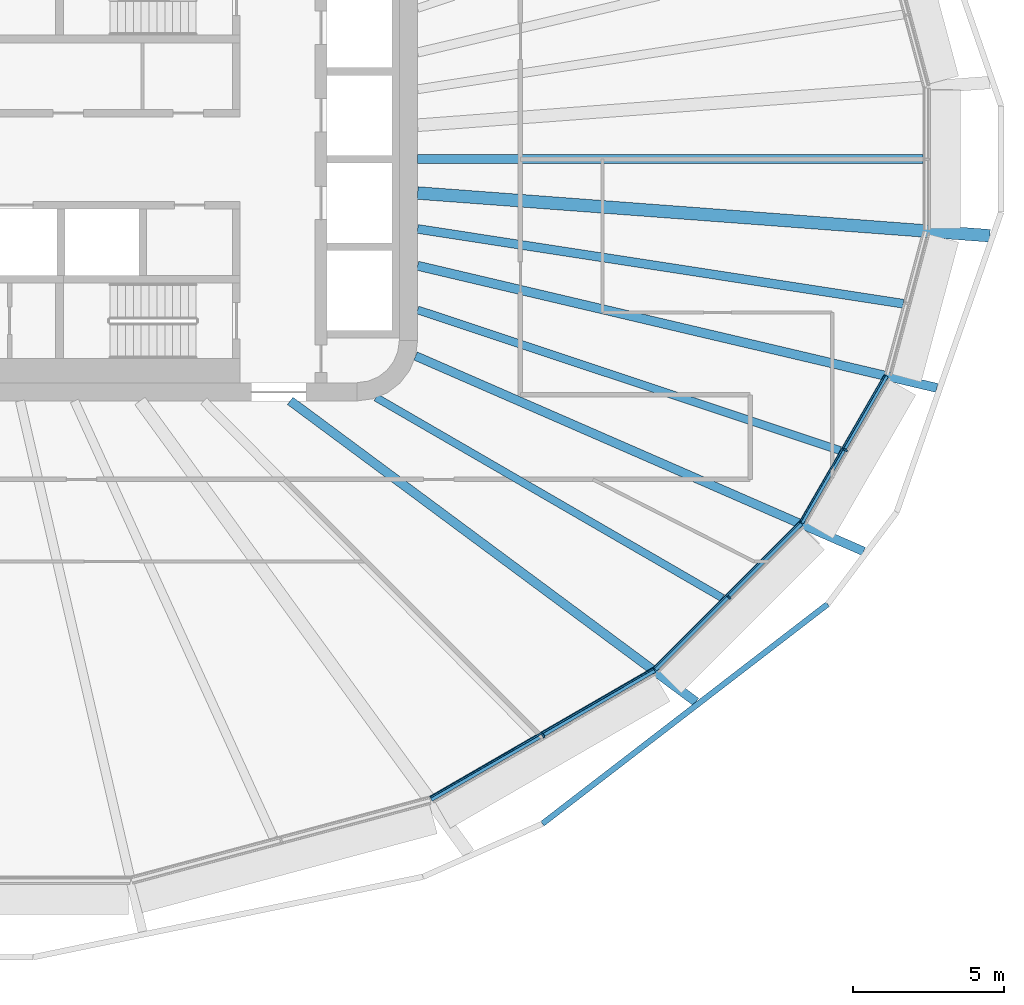
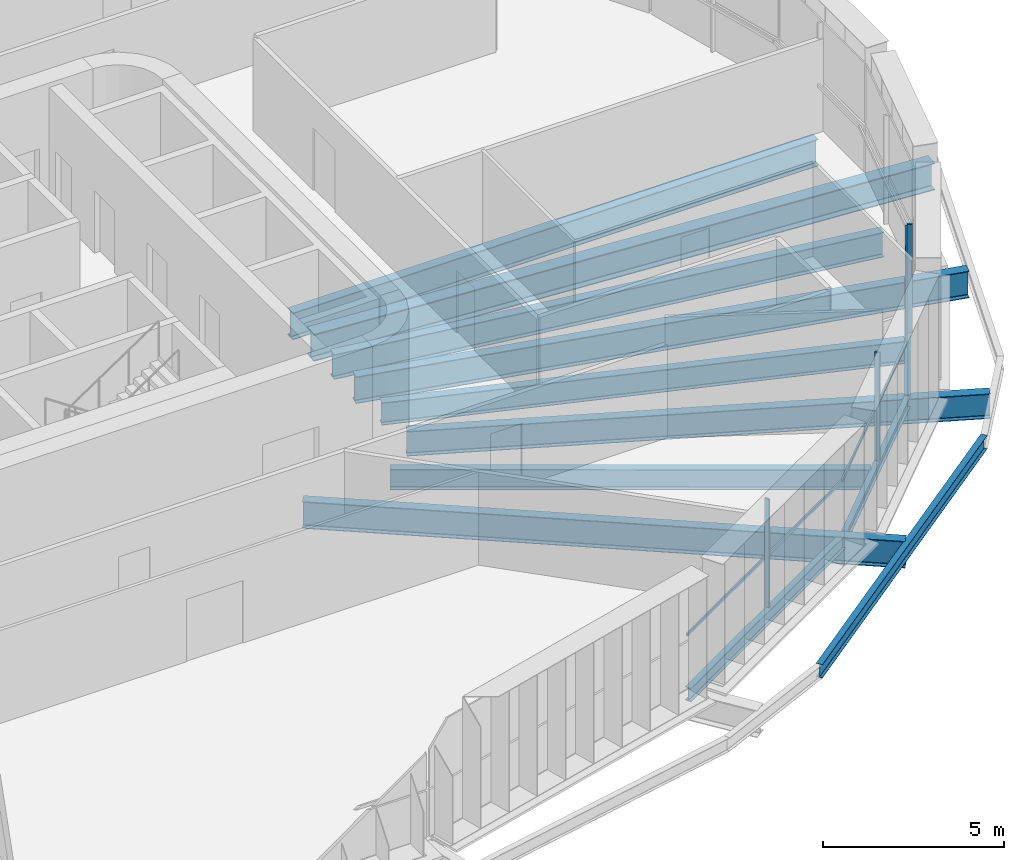
# One storey, part 5 of 25: 12 beams, 6 members, 3 elements without a shape of their own.
"""IFC4 building model written with IfcOpenShell, lengths in metres."""

from ifc_helpers import new_model, si_unit, direction, frame, origin, origin_2d, place, context, subcontext, project, spatial, rectangle, i_section, extrude, material, layer, layer_set, material_profile, profile_set, type_object, element, aggregate, save


model = new_model("IFC4")

# Units and contexts
model_context = context("Model", 3, precision=1e-05, world=origin(), true_north=direction((0.0, 1.0)))
body_context = subcontext(model_context, "Body", "Model", "MODEL_VIEW")
ifc_project = project(units=[si_unit("LENGTHUNIT", "METRE"), si_unit("AREAUNIT", "SQUARE_METRE"), si_unit("VOLUMEUNIT", "CUBIC_METRE"), si_unit("PLANEANGLEUNIT", "RADIAN"), si_unit("MASSUNIT", "GRAM", prefix="KILO")], contexts=[model_context])

# Site, building, storey
site_placement = place(None, origin())
site = spatial("IfcSite", under=ifc_project, at=site_placement, CompositionType="ELEMENT")
building_placement = place(site_placement, origin())
building = spatial("IfcBuilding", under=site, at=building_placement, Name="Sahrelin Media Tower", CompositionType="ELEMENT")
storey_placement = place(building_placement, frame((0.0, 0.0, 110.39990234375)))
storey = spatial("IfcBuildingStorey", under=building, at=storey_placement, Name="L21", CompositionType="ELEMENT", Elevation=110.39990234375)

# Beams
ifc_material_1 = material(Name="Steel S355", Category="steel")
ifc_material_profile_1 = material_profile(ifc_material_1, i_section(OverallWidth=0.1650390625, OverallDepth=0.303466796875, WebThickness=0.006103515625, FlangeThickness=0.01025390625, FilletRadius=0.0087890625, at=origin_2d()), Name="UB 305x165x40")
ifc_profile_set_1 = profile_set([ifc_material_profile_1], Name="Steel S355")
beam_type_1 = type_object("IfcBeamType", Name="Edge beam EB2", PredefinedType="BEAM", material=ifc_profile_set_1)
beam_1_placement = place(storey_placement, frame((30.5048828125, -7.1650390625, -0.301513671875), z_axis=(-0.500017404508, -0.866015355054, 0.0), x_axis=(0.866015355054, -0.500017404508, 0.0)))
element("IfcBeam", 1, at=beam_1_placement, inside=storey, type_object=beam_type_1, Name="Edge beam L21-03", PredefinedType="BEAM", context=body_context, shape_type="SweptSolid", body=[
    extrude(i_section(OverallWidth=0.1650390625, OverallDepth=0.303466796875, WebThickness=0.006103515625, FlangeThickness=0.01025390625, FilletRadius=0.0087890625, at=origin_2d()), origin(), (0.0, 0.0, 1.0), 5.612548828125),
])
ifc_material_profile_2 = material_profile(ifc_material_1, i_section(OverallWidth=0.17138671875, OverallDepth=0.35498046875, WebThickness=0.00732421875, FlangeThickness=0.011474609375, FilletRadius=0.01025390625, at=origin_2d()), Name="UB 356x171x51")
ifc_profile_set_2 = profile_set([ifc_material_profile_2], Name="Steel S355")
beam_type_2 = type_object("IfcBeamType", Name="Edge beam EB3", PredefinedType="BEAM", material=ifc_profile_set_2)
beam_2_placement = place(storey_placement, frame((27.68115234375, -12.048583984375, -0.327392578125), z_axis=(-0.707124646667, -0.707088915255, 0.0), x_axis=(0.707088915255, -0.707124646667, 0.0)))
element("IfcBeam", 2, at=beam_2_placement, inside=storey, type_object=beam_type_2, Name="Edge beam L21-04", PredefinedType="BEAM", context=body_context, shape_type="SweptSolid", body=[
    extrude(i_section(OverallWidth=0.17138671875, OverallDepth=0.35498046875, WebThickness=0.00732421875, FlangeThickness=0.011474609375, FilletRadius=0.01025390625, at=origin_2d()), origin(), (0.0, 0.0, 1.0), 6.832763671875),
])
ifc_material_profile_3 = material_profile(ifc_material_1, i_section(OverallWidth=0.1904296875, OverallDepth=0.45703125, WebThickness=0.009033203125, FlangeThickness=0.014404296875, FilletRadius=0.01025390625, at=origin_2d()), Name="UB 457x191x74")
ifc_profile_set_3 = profile_set([ifc_material_profile_3], Name="Steel S355")
beam_type_3 = type_object("IfcBeamType", Name="Edge beam EB5", PredefinedType="BEAM", material=ifc_profile_set_3)
beam_3_placement = place(storey_placement, frame((22.82666015625, -16.8974609375, -0.37841796875), z_axis=(-0.866017364183, -0.500013924739, 0.0), x_axis=(0.500013924739, -0.866017364183, 0.0)))
element("IfcBeam", 3, at=beam_3_placement, inside=storey, type_object=beam_type_3, Name="Edge beam L21-05", PredefinedType="BEAM", context=body_context, shape_type="SweptSolid", body=[
    extrude(i_section(OverallWidth=0.1904296875, OverallDepth=0.45703125, WebThickness=0.009033203125, FlangeThickness=0.014404296875, FilletRadius=0.01025390625, at=origin_2d()), origin(), (0.0, 0.0, 1.0), 8.531494140625),
])

# Curtain wall, member
ifc_material_2 = material(Name="Champagne anodised aluminium 6063-T6", Category="aluminium")
ifc_layer = layer(ifc_material_2, 0.14990234375)
ifc_layer_set = layer_set([ifc_layer], Name="Tower ribbon curtain wall")
curtain_wall_type = type_object("IfcCurtainWallType", Name="Tower ribbon curtain wall", PredefinedType="NOTDEFINED", material=ifc_layer_set)
curtain_wall_1_placement = place(storey_placement, frame((19.20751953125, -19.160400390625, 0.0), z_axis=(0.0, 0.0, 1.0), x_axis=(1.0, 0.0, 0.0)))
curtain_wall_1 = element("IfcCurtainWall", 4, at=curtain_wall_1_placement, inside=storey, type_object=curtain_wall_type, Name="L21:CW:L21-20", PredefinedType="NOTDEFINED")
ifc_material_profile_4 = material_profile(ifc_material_2, rectangle(XDim=0.06005859375, YDim=0.14990234375, at=origin_2d()), Name="Mullion 60x150")
ifc_profile_set_4 = profile_set([ifc_material_profile_4], Name="Champagne anodised aluminium 6063-T6")
member_type_1 = type_object("IfcMemberType", Name="Mullion 60x150 CW1", PredefinedType="MULLION", material=ifc_profile_set_4)
member_1_placement = place(storey_placement, frame((19.159912109375, -19.077880859375, 0.0), z_axis=(0.0, 0.0, 1.0), x_axis=(0.866024531118, 0.500001511499, 0.0)))
member_1 = element("IfcMember", 5, at=member_1_placement, type_object=member_type_1, Name="L21:CWM:L21-20", PredefinedType="MULLION", context=body_context, shape_type="SweptSolid", body=[
    extrude(rectangle(XDim=0.06005859375, YDim=0.14990234375, at=origin_2d()), origin(), (0.0, 0.0, 1.0), 3.648681640625),
])

curtain_wall_2_placement = place(storey_placement, frame((25.371337890625, -14.5703125, 0.0), z_axis=(0.0, 0.0, 1.0), x_axis=(1.0, 0.0, 0.0)))
curtain_wall_2 = element("IfcCurtainWall", 6, at=curtain_wall_2_placement, inside=storey, type_object=curtain_wall_type, Name="L21:CW:L21-21", PredefinedType="NOTDEFINED")
member_2_placement = place(storey_placement, frame((25.30419921875, -14.503173828125, 0.0), z_axis=(0.0, 0.0, 1.0), x_axis=(0.707106781187, 0.707106781187, 0.0)))
member_2 = element("IfcMember", 7, at=member_2_placement, type_object=member_type_1, Name="L21:CWM:L21-21", PredefinedType="MULLION", context=body_context, shape_type="SweptSolid", body=[
    extrude(rectangle(XDim=0.06005859375, YDim=0.14990234375, at=origin_2d()), origin(), (0.0, 0.0, 1.0), 3.648681640625),
])

curtain_wall_3_placement = place(storey_placement, frame((29.231689453125, -9.67041015625, 0.0), z_axis=(0.0, 0.0, 1.0), x_axis=(1.0, 0.0, 0.0)))
curtain_wall_3 = element("IfcCurtainWall", 8, at=curtain_wall_3_placement, inside=storey, type_object=curtain_wall_type, Name="L21:CW:L21-22", PredefinedType="NOTDEFINED")
member_3_placement = place(storey_placement, frame((29.1494140625, -9.622802734375, 0.0), z_axis=(0.0, 0.0, 1.0), x_axis=(0.500004534492, 0.866022785779, 0.0)))
member_3 = element("IfcMember", 9, at=member_3_placement, type_object=member_type_1, Name="L21:CWM:L21-22", PredefinedType="MULLION", context=body_context, shape_type="SweptSolid", body=[
    extrude(rectangle(XDim=0.06005859375, YDim=0.14990234375, at=origin_2d()), origin(), (0.0, 0.0, 1.0), 3.648681640625),
])

# Beams
ifc_material_profile_5 = material_profile(ifc_material_1, i_section(OverallWidth=0.291748046875, OverallDepth=0.8349609375, WebThickness=0.013916015625, FlangeThickness=0.018798828125, FilletRadius=0.017822265625, at=origin_2d()), Name="UB 838x292x176")
ifc_profile_set_5 = profile_set([ifc_material_profile_5], Name="Steel S355")
beam_type_4 = type_object("IfcBeamType", Name="Radial primary beam PB10", PredefinedType="BEAM", material=ifc_profile_set_5)
beam_4_placement = place(storey_placement, frame((14.9326171875, -6.512939453125, -0.5673828125), z_axis=(0.91660394376, -0.39979646107, 0.0), x_axis=(0.39979646107, 0.91660394376, 0.0)))
element("IfcBeam", 10, at=beam_4_placement, inside=storey, type_object=beam_type_4, Name="Radial beam L21-22", PredefinedType="BEAM", context=body_context, shape_type="SweptSolid", body=[
    extrude(i_section(OverallWidth=0.291748046875, OverallDepth=0.8349609375, WebThickness=0.013916015625, FlangeThickness=0.018798828125, FilletRadius=0.017822265625, at=origin_2d()), origin(), (0.0, 0.0, 1.0), 16.176513671875),
])
ifc_material_profile_6 = material_profile(ifc_material_1, i_section(OverallWidth=0.30322265625, OverallDepth=0.903076171875, WebThickness=0.01513671875, FlangeThickness=0.020263671875, FilletRadius=0.01904296875, at=origin_2d()), Name="UB 914x305x201")
ifc_profile_set_6 = profile_set([ifc_material_profile_6], Name="Steel S355")
beam_type_5 = type_object("IfcBeamType", Name="Radial primary beam PB11", PredefinedType="BEAM", material=ifc_profile_set_6)
beam_5_placement = place(storey_placement, frame((10.78466796875, -8.0, -0.601318359375), z_axis=(0.803152128679, -0.595773999263, 0.0), x_axis=(0.595773999263, 0.803152128679, 0.0)))
element("IfcBeam", 11, at=beam_5_placement, inside=storey, type_object=beam_type_5, Name="Radial beam L21-21", PredefinedType="BEAM", context=body_context, shape_type="SweptSolid", body=[
    extrude(i_section(OverallWidth=0.30322265625, OverallDepth=0.903076171875, WebThickness=0.01513671875, FlangeThickness=0.020263671875, FilletRadius=0.01904296875, at=origin_2d()), origin(), (0.0, 0.0, 1.0), 16.71728515625),
])
beam_6_placement = place(storey_placement, frame((15.0, -3.528564453125, -0.601318359375), z_axis=(0.973430951904, -0.228980745641, 0.0), x_axis=(0.228980745641, 0.973430951904, 0.0)))
element("IfcBeam", 12, at=beam_6_placement, inside=storey, type_object=beam_type_5, Name="Radial beam L21-23", PredefinedType="BEAM", context=body_context, shape_type="SweptSolid", body=[
    extrude(i_section(OverallWidth=0.30322265625, OverallDepth=0.903076171875, WebThickness=0.01513671875, FlangeThickness=0.020263671875, FilletRadius=0.01904296875, at=origin_2d()), origin(), (0.0, 0.0, 1.0), 17.652099609375),
])
ifc_material_profile_7 = material_profile(ifc_material_1, i_section(OverallWidth=0.41845703125, OverallDepth=0.911865234375, WebThickness=0.019287109375, FlangeThickness=0.031982421875, FilletRadius=0.024169921875, at=origin_2d()), Name="UB 914x419x343")
ifc_profile_set_7 = profile_set([ifc_material_profile_7], Name="Steel S355")
beam_type_6 = type_object("IfcBeamType", Name="Radial primary beam PB12", PredefinedType="BEAM", material=ifc_profile_set_7)
beam_7_placement = place(storey_placement, frame((15.0, -1.12109375, -0.605712890625), z_axis=(0.997220437649, -0.074507709238, 0.0), x_axis=(0.074507709238, 0.997220437649, 0.0)))
element("IfcBeam", 13, at=beam_7_placement, inside=storey, type_object=beam_type_6, Name="Radial beam L21-24", PredefinedType="BEAM", context=body_context, shape_type="SweptSolid", body=[
    extrude(i_section(OverallWidth=0.41845703125, OverallDepth=0.911865234375, WebThickness=0.019287109375, FlangeThickness=0.031982421875, FilletRadius=0.024169921875, at=origin_2d()), origin(), (0.0, 0.0, 1.0), 18.988525390625),
])
ifc_material_profile_8 = material_profile(ifc_material_1, i_section(OverallWidth=0.291748046875, OverallDepth=0.8349609375, WebThickness=0.013916015625, FlangeThickness=0.018798828125, FilletRadius=0.017822265625, at=origin_2d()), Name="UB 838x292x176")
ifc_profile_set_8 = profile_set([ifc_material_profile_8], Name="Steel S355")
beam_type_7 = type_object("IfcBeamType", Name="Radial secondary beam SB10", PredefinedType="BEAM", material=ifc_profile_set_8)
beam_8_placement = place(storey_placement, frame((15.0, -2.310302734375, -0.5673828125), z_axis=(0.988347036521, -0.152217395197, 0.0), x_axis=(0.152217395197, 0.988347036521, 0.0)))
element("IfcBeam", 14, at=beam_8_placement, inside=storey, type_object=beam_type_7, Name="Secondary beam L21-23", PredefinedType="BEAM", context=body_context, shape_type="SweptSolid", body=[
    extrude(i_section(OverallWidth=0.291748046875, OverallDepth=0.8349609375, WebThickness=0.013916015625, FlangeThickness=0.018798828125, FilletRadius=0.017822265625, at=origin_2d()), origin(), (0.0, 0.0, 1.0), 16.26025390625),
])
ifc_material_profile_9 = material_profile(ifc_material_1, i_section(OverallWidth=0.30322265625, OverallDepth=0.903076171875, WebThickness=0.01513671875, FlangeThickness=0.020263671875, FilletRadius=0.01904296875, at=origin_2d()), Name="UB 914x305x201")
ifc_profile_set_9 = profile_set([ifc_material_profile_9], Name="Steel S355")
beam_type_8 = type_object("IfcBeamType", Name="Radial secondary beam SB11", PredefinedType="BEAM", material=ifc_profile_set_9)
beam_9_placement = place(storey_placement, frame((15.0, 0.0, -0.601318359375), z_axis=(1.0, 0.0, 0.0), x_axis=(0.0, 1.0, 0.0)))
element("IfcBeam", 15, at=beam_9_placement, inside=storey, type_object=beam_type_8, Name="Secondary beam L21-24", PredefinedType="BEAM", context=body_context, shape_type="SweptSolid", body=[
    extrude(i_section(OverallWidth=0.30322265625, OverallDepth=0.903076171875, WebThickness=0.01513671875, FlangeThickness=0.020263671875, FilletRadius=0.01904296875, at=origin_2d()), origin(), (0.0, 0.0, 1.0), 16.72119140625),
])
ifc_material_profile_10 = material_profile(ifc_material_1, i_section(OverallWidth=0.2529296875, OverallDepth=0.677978515625, WebThickness=0.01171875, FlangeThickness=0.01611328125, FilletRadius=0.01513671875, at=origin_2d()), Name="UB 686x254x125")
ifc_profile_set_10 = profile_set([ifc_material_profile_10], Name="Steel S355")
beam_type_9 = type_object("IfcBeamType", Name="Radial secondary beam SB8", PredefinedType="BEAM", material=ifc_profile_set_10)
beam_10_placement = place(storey_placement, frame((13.625, -7.887451171875, -0.48876953125), z_axis=(0.865447741605, -0.500999208134, 0.0), x_axis=(0.500999208134, 0.865447741605, 0.0)))
element("IfcBeam", 16, at=beam_10_placement, inside=storey, type_object=beam_type_9, Name="Secondary beam L21-21", PredefinedType="BEAM", context=body_context, shape_type="SweptSolid", body=[
    extrude(i_section(OverallWidth=0.2529296875, OverallDepth=0.677978515625, WebThickness=0.01171875, FlangeThickness=0.01611328125, FilletRadius=0.01513671875, at=origin_2d()), origin(), (0.0, 0.0, 1.0), 13.2431640625),
])
ifc_material_profile_11 = material_profile(ifc_material_1, i_section(OverallWidth=0.26513671875, OverallDepth=0.75390625, WebThickness=0.0126953125, FlangeThickness=0.017578125, FilletRadius=0.0166015625, at=origin_2d()), Name="UB 762x267x147")
ifc_profile_set_11 = profile_set([ifc_material_profile_11], Name="Steel S355")
beam_type_10 = type_object("IfcBeamType", Name="Radial secondary beam SB9", PredefinedType="BEAM", material=ifc_profile_set_11)
beam_11_placement = place(storey_placement, frame((15.0, -4.989990234375, -0.52685546875), z_axis=(0.948863762476, -0.31568585692, 0.0), x_axis=(0.31568585692, 0.948863762476, 0.0)))
element("IfcBeam", 17, at=beam_11_placement, inside=storey, type_object=beam_type_10, Name="Secondary beam L21-22", PredefinedType="BEAM", context=body_context, shape_type="SweptSolid", body=[
    extrude(i_section(OverallWidth=0.26513671875, OverallDepth=0.75390625, WebThickness=0.0126953125, FlangeThickness=0.017578125, FilletRadius=0.0166015625, at=origin_2d()), origin(), (0.0, 0.0, 1.0), 14.7333984375),
])
ifc_material_profile_12 = material_profile(ifc_material_1, i_section(OverallWidth=0.1904296875, OverallDepth=0.45703125, WebThickness=0.009033203125, FlangeThickness=0.014404296875, FilletRadius=0.01025390625, at=origin_2d()), Name="UB 457x191x74")
ifc_profile_set_12 = profile_set([ifc_material_profile_12], Name="Steel S355")
beam_type_11 = type_object("IfcBeamType", Name="Tie chord TC5", PredefinedType="BEAM", material=ifc_profile_set_12)
beam_12_placement = place(storey_placement, frame((19.12939453125, -21.9912109375, -0.37841796875), z_axis=(0.792450278181, 0.60993651851, 0.0), x_axis=(-0.60993651851, 0.792450278181, 0.0)))
element("IfcBeam", 18, at=beam_12_placement, inside=storey, type_object=beam_type_11, Name="Tie chord L21-21", PredefinedType="BEAM", context=body_context, shape_type="SweptSolid", body=[
    extrude(i_section(OverallWidth=0.1904296875, OverallDepth=0.45703125, WebThickness=0.009033203125, FlangeThickness=0.014404296875, FilletRadius=0.01025390625, at=origin_2d()), origin(), (0.0, 0.0, 1.0), 11.91455078125),
])

# Member
ifc_material_profile_13 = material_profile(ifc_material_2, rectangle(XDim=0.050048828125, YDim=0.10009765625, at=origin_2d()), Name="Transom 50x100")
ifc_profile_set_13 = profile_set([ifc_material_profile_13], Name="Champagne anodised aluminium 6063-T6")
member_type_2 = type_object("IfcMemberType", Name="Transom 50x100 CW1", PredefinedType="USERDEFINED", material=ifc_profile_set_13)
member_4_placement = place(storey_placement, frame((15.429443359375, -21.116455078125, 1.60009765625), z_axis=(0.866021522889, 0.500006721848, 0.0), x_axis=(-0.500006721848, 0.866021522889, 0.0)))
member_4 = element("IfcMember", 19, at=member_4_placement, type_object=member_type_2, Name="L21:CWT:L21-20", ObjectType="TRANSOM", PredefinedType="USERDEFINED", context=body_context, shape_type="SweptSolid", body=[
    extrude(rectangle(XDim=0.050048828125, YDim=0.10009765625, at=origin_2d()), origin(), (0.0, 0.0, 1.0), 8.5),
])

aggregate(curtain_wall_1, [member_1, member_4])

member_5_placement = place(storey_placement, frame((22.828857421875, -16.837158203125, 1.60009765625), z_axis=(0.707106781187, 0.707106781187, 0.0), x_axis=(-0.707106781187, 0.707106781187, 0.0)))
member_5 = element("IfcMember", 20, at=member_5_placement, type_object=member_type_2, Name="L21:CWT:L21-21", ObjectType="TRANSOM", PredefinedType="USERDEFINED", context=body_context, shape_type="SweptSolid", body=[
    extrude(rectangle(XDim=0.050048828125, YDim=0.10009765625, at=origin_2d()), origin(), (0.0, 0.0, 1.0), 6.801513671875),
])

aggregate(curtain_wall_2, [member_2, member_5])

member_6_placement = place(storey_placement, frame((27.66748046875, -11.989501953125, 1.60009765625), z_axis=(0.499987512418, 0.866032613373, 0.0), x_axis=(-0.866032613373, 0.499987512418, 0.0)))
member_6 = element("IfcMember", 21, at=member_6_placement, type_object=member_type_2, Name="L21:CWT:L21-22", ObjectType="TRANSOM", PredefinedType="USERDEFINED", context=body_context, shape_type="SweptSolid", body=[
    extrude(rectangle(XDim=0.050048828125, YDim=0.10009765625, at=origin_2d()), origin(), (0.0, 0.0, 1.0), 5.581298828125),
])

aggregate(curtain_wall_3, [member_3, member_6])

save(model, "model.ifc")
